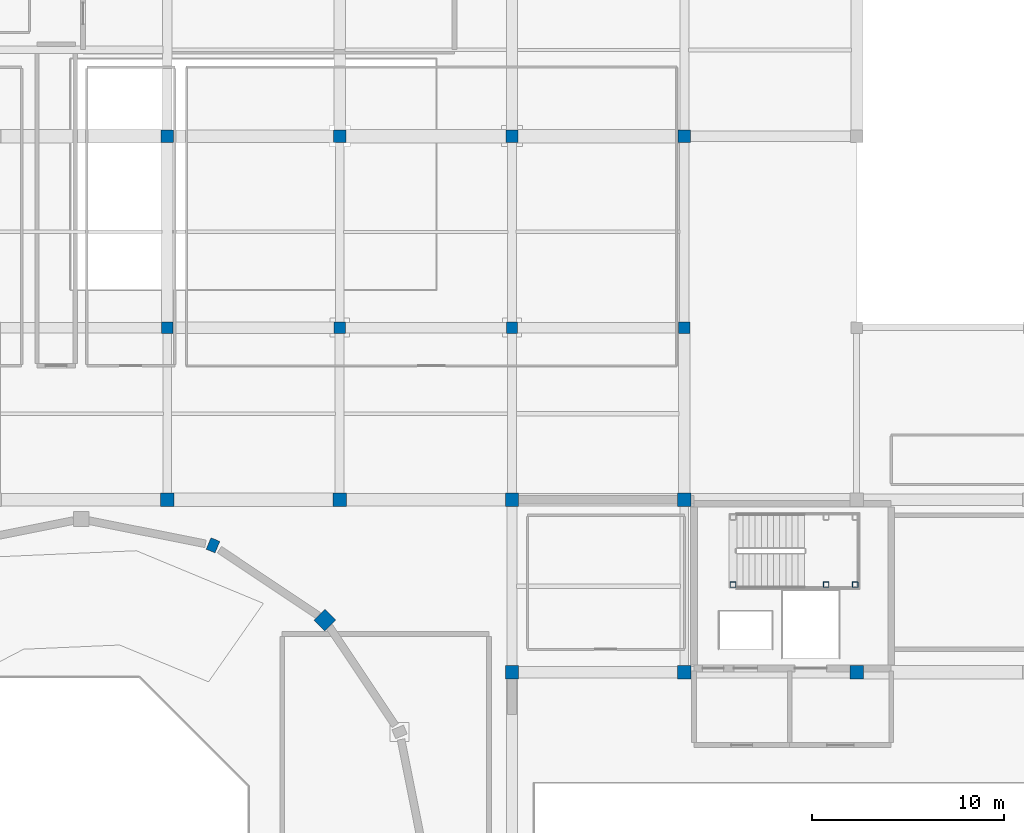
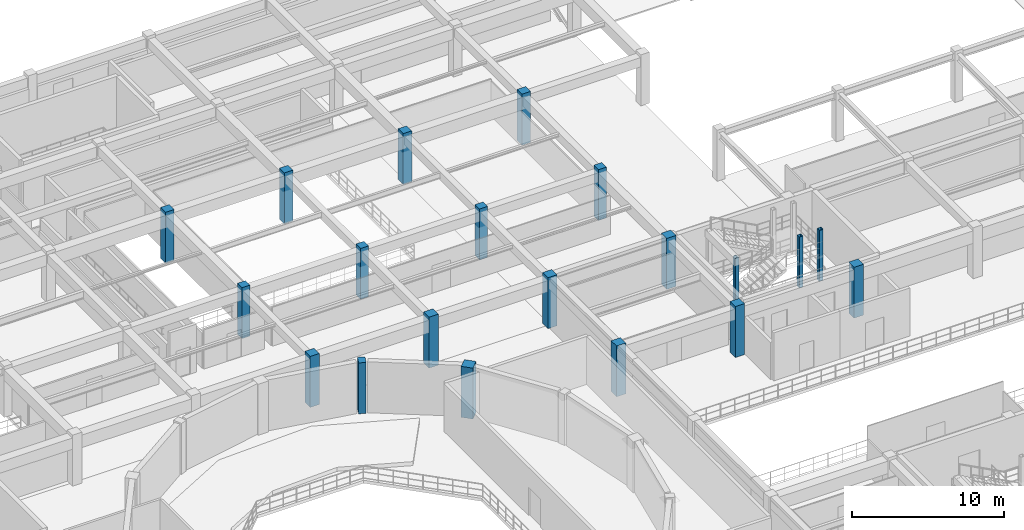
# One storey, part 8 of 110: 20 columns.
"""IFC4 building model written with IfcOpenShell, lengths in metres."""

from ifc_helpers import new_model, si_unit, direction, frame, origin, origin_2d, place, context, subcontext, project, spatial, rectangle, hollow_rectangle, extrude, material, material_profile, profile_set, type_object, element, save


model = new_model("IFC4")

# Units and contexts
model_context = context("Model", 3, precision=1e-05, world=origin(), true_north=direction((0.0, 1.0)))
body_context = subcontext(model_context, "Body", "Model", "MODEL_VIEW")
ifc_project = project(units=[si_unit("LENGTHUNIT", "METRE"), si_unit("AREAUNIT", "SQUARE_METRE"), si_unit("VOLUMEUNIT", "CUBIC_METRE"), si_unit("PLANEANGLEUNIT", "RADIAN"), si_unit("MASSUNIT", "GRAM", prefix="KILO")], contexts=[model_context])

# Site, building, storey
site_placement = place(None, origin())
site = spatial("IfcSite", under=ifc_project, at=site_placement, CompositionType="ELEMENT")
building_placement = place(site_placement, origin())
building = spatial("IfcBuilding", under=site, at=building_placement, Name="Miravela Opera House", CompositionType="ELEMENT")
storey_placement = place(building_placement, frame((0.0, 0.0, 13.60009765625)))
storey = spatial("IfcBuildingStorey", under=building, at=storey_placement, Name="L03", CompositionType="ELEMENT", Elevation=13.60009765625)

# Columns
ifc_material_1 = material(Name="Hollow structural steel ASTM A500 Gr. C", Category="steel")
ifc_material_profile_1 = material_profile(ifc_material_1, hollow_rectangle(XDim=0.300048828125, YDim=0.300048828125, WallThickness=0.01611328125, InnerFilletRadius=0.01611328125, OuterFilletRadius=0.031982421875, at=origin_2d()), Name="HSS300X300X16")
ifc_profile_set_1 = profile_set([ifc_material_profile_1])
column_type_1 = type_object("IfcColumnType", Name="STR-COL-HSS300", PredefinedType="COLUMN", material=ifc_profile_set_1)
for number, where, z_axis, x_axis, name in (
    (1, (110.5400390625, 70.580078125, 0.0), (0.0, 0.0, 1.0), (1.0, 0.0, 0.0), "Stair K3 Landing Support Column 1 (L03)"),
    (2, (115.39990234375, 70.580078125, 0.0), (0.0, 0.0, 1.0), (1.0, 0.0, 0.0), "Stair K3 Landing Support Column 3 (L03)"),
    (3, (116.919921875, 70.580078125, 0.0), (0.0, 0.0, 1.0), (1.0, 0.0, 0.0), "Stair K3 Landing Support Column 5 (L03)"),
):
    element("IfcColumn", number, at=place(storey_placement, frame(where, z_axis=z_axis, x_axis=x_axis)), inside=storey, type_object=column_type_1, Name=name, PredefinedType="COLUMN", context=body_context, shape_type="SweptSolid", body=[
        extrude(hollow_rectangle(XDim=0.300048828125, YDim=0.300048828125, WallThickness=0.01611328125, InnerFilletRadius=0.01611328125, OuterFilletRadius=0.031982421875, at=origin_2d()), origin(), (0.0, 0.0, 1.0), 4.079833984375),
    ])
ifc_material_2 = material(Name="Concrete C35/45", Category="concrete")
ifc_material_profile_2 = material_profile(ifc_material_2, rectangle(XDim=0.60009765625, YDim=0.60009765625, at=origin_2d()), Name="RC-COL-600X600")
ifc_profile_set_2 = profile_set([ifc_material_profile_2])
column_type_2 = type_object("IfcColumnType", Name="STR-COL-RC600", PredefinedType="COLUMN", material=ifc_profile_set_2)
for number, where, z_axis, x_axis, name in (
    (4, (81.0, 84.0, 0.0), (0.0, 0.0, 1.0), (1.0, 0.0, 0.0), "Column C-10J (L03)"),
    (5, (90.0, 84.0, 0.0), (0.0, 0.0, 1.0), (1.0, 0.0, 0.0), "Column C-11J (L03)"),
    (6, (99.0, 84.0, 0.0), (0.0, 0.0, 1.0), (1.0, 0.0, 0.0), "Column C-12J (L03)"),
    (7, (108.0, 84.0, 0.0), (0.0, 0.0, 1.0), (1.0, 0.0, 0.0), "Column C-13J (L03)"),
):
    element("IfcColumn", number, at=place(storey_placement, frame(where, z_axis=z_axis, x_axis=x_axis)), inside=storey, type_object=column_type_2, Name=name, PredefinedType="COLUMN", context=body_context, shape_type="SweptSolid", body=[
        extrude(rectangle(XDim=0.60009765625, YDim=0.60009765625, at=origin_2d()), origin(), (0.0, 0.0, 1.0), 4.079833984375),
    ])
ifc_material_profile_3 = material_profile(ifc_material_2, rectangle(XDim=0.64990234375, YDim=0.64990234375, at=origin_2d()), Name="RC-COL-650X650")
ifc_profile_set_3 = profile_set([ifc_material_profile_3])
column_type_3 = type_object("IfcColumnType", Name="STR-COL-RC650", PredefinedType="COLUMN", material=ifc_profile_set_3)
for number, where, z_axis, x_axis, name in (
    (8, (81.0, 94.0, 0.0), (0.0, 0.0, 1.0), (1.0, 0.0, 0.0), "Column C-10K (L03)"),
    (9, (90.0, 94.0, 0.0), (0.0, 0.0, 1.0), (1.0, 0.0, 0.0), "Column C-11K (L03)"),
    (10, (99.0, 94.0, 0.0), (0.0, 0.0, 1.0), (1.0, 0.0, 0.0), "Column C-12K (L03)"),
    (11, (108.0, 94.0, 0.0), (0.0, 0.0, 1.0), (1.0, 0.0, 0.0), "Column C-13K (L03)"),
):
    element("IfcColumn", number, at=place(storey_placement, frame(where, z_axis=z_axis, x_axis=x_axis)), inside=storey, type_object=column_type_3, Name=name, PredefinedType="COLUMN", context=body_context, shape_type="SweptSolid", body=[
        extrude(rectangle(XDim=0.64990234375, YDim=0.64990234375, at=origin_2d()), origin(), (0.0, 0.0, 1.0), 4.079833984375),
    ])
ifc_material_profile_4 = material_profile(ifc_material_2, rectangle(XDim=0.699951171875, YDim=0.699951171875, at=origin_2d()), Name="RC-COL-700X700")
ifc_profile_set_4 = profile_set([ifc_material_profile_4])
column_type_4 = type_object("IfcColumnType", Name="STR-COL-RC700", PredefinedType="COLUMN", material=ifc_profile_set_4)
for number, where, z_axis, x_axis, name in (
    (12, (81.0, 75.0, 0.0), (0.0, 0.0, 1.0), (1.0, 0.0, 0.0), "Column C-10I (L03)"),
    (13, (90.0, 75.0, 0.0), (0.0, 0.0, 1.0), (1.0, 0.0, 0.0), "Column C-11I (L03)"),
    (14, (99.0, 66.0, 0.0), (0.0, 0.0, 1.0), (1.0, 0.0, 0.0), "Column C-12H (L03)"),
    (15, (99.0, 75.0, 0.0), (0.0, 0.0, 1.0), (1.0, 0.0, 0.0), "Column C-12I (L03)"),
    (16, (108.0, 66.0, 0.0), (0.0, 0.0, 1.0), (1.0, 0.0, 0.0), "Column C-13H (L03)"),
    (17, (108.0, 75.0, 0.0), (0.0, 0.0, 1.0), (1.0, 0.0, 0.0), "Column C-13I (L03)"),
    (18, (117.0, 66.0, 0.0), (0.0, 0.0, 1.0), (1.0, 0.0, 0.0), "Column C-14H (L03)"),
):
    element("IfcColumn", number, at=place(storey_placement, frame(where, z_axis=z_axis, x_axis=x_axis)), inside=storey, type_object=column_type_4, Name=name, PredefinedType="COLUMN", context=body_context, shape_type="SweptSolid", body=[
        extrude(rectangle(XDim=0.699951171875, YDim=0.699951171875, at=origin_2d()), origin(), (0.0, 0.0, 1.0), 4.079833984375),
    ])
ifc_material_profile_5 = material_profile(ifc_material_2, rectangle(XDim=0.64990234375, YDim=0.5, at=origin_2d()), Name="RC-PIL-650X500")
ifc_profile_set_5 = profile_set([ifc_material_profile_5])
column_type_5 = type_object("IfcColumnType", Name="STR-PIL-RC650X500", PredefinedType="PILASTER", material=ifc_profile_set_5)
column_1_placement = place(storey_placement, frame((83.38818359375, 72.6298828125, 0.0), z_axis=(0.0, 0.0, 1.0), x_axis=(0.382683432365, 0.923879532511, 0.0)))
element("IfcColumn", 19, at=column_1_placement, inside=storey, type_object=column_type_5, Name="Auditorium Drum Column DC-04 (L03)", PredefinedType="PILASTER", context=body_context, shape_type="SweptSolid", body=[
    extrude(rectangle(XDim=0.64990234375, YDim=0.5, at=origin_2d()), origin(), (0.0, 0.0, 1.0), 4.079833984375),
])
ifc_material_3 = material(Name="Concrete C40/50", Category="concrete")
ifc_material_profile_6 = material_profile(ifc_material_3, rectangle(XDim=0.800048828125, YDim=0.800048828125, at=origin_2d()), Name="RC-COL-800X800")
ifc_profile_set_6 = profile_set([ifc_material_profile_6])
column_type_6 = type_object("IfcColumnType", Name="STR-PIL-RC800", PredefinedType="PILASTER", material=ifc_profile_set_6)
column_2_placement = place(storey_placement, frame((89.227783203125, 68.727783203125, 0.0), z_axis=(0.0, 0.0, 1.0), x_axis=(0.707106781187, 0.707106781187, 0.0)))
element("IfcColumn", 20, at=column_2_placement, inside=storey, type_object=column_type_6, Name="Auditorium Drum Column DC-03 (L03)", PredefinedType="PILASTER", context=body_context, shape_type="SweptSolid", body=[
    extrude(rectangle(XDim=0.800048828125, YDim=0.800048828125, at=origin_2d()), origin(), (0.0, 0.0, 1.0), 4.079833984375),
])

save(model, "model.ifc")
